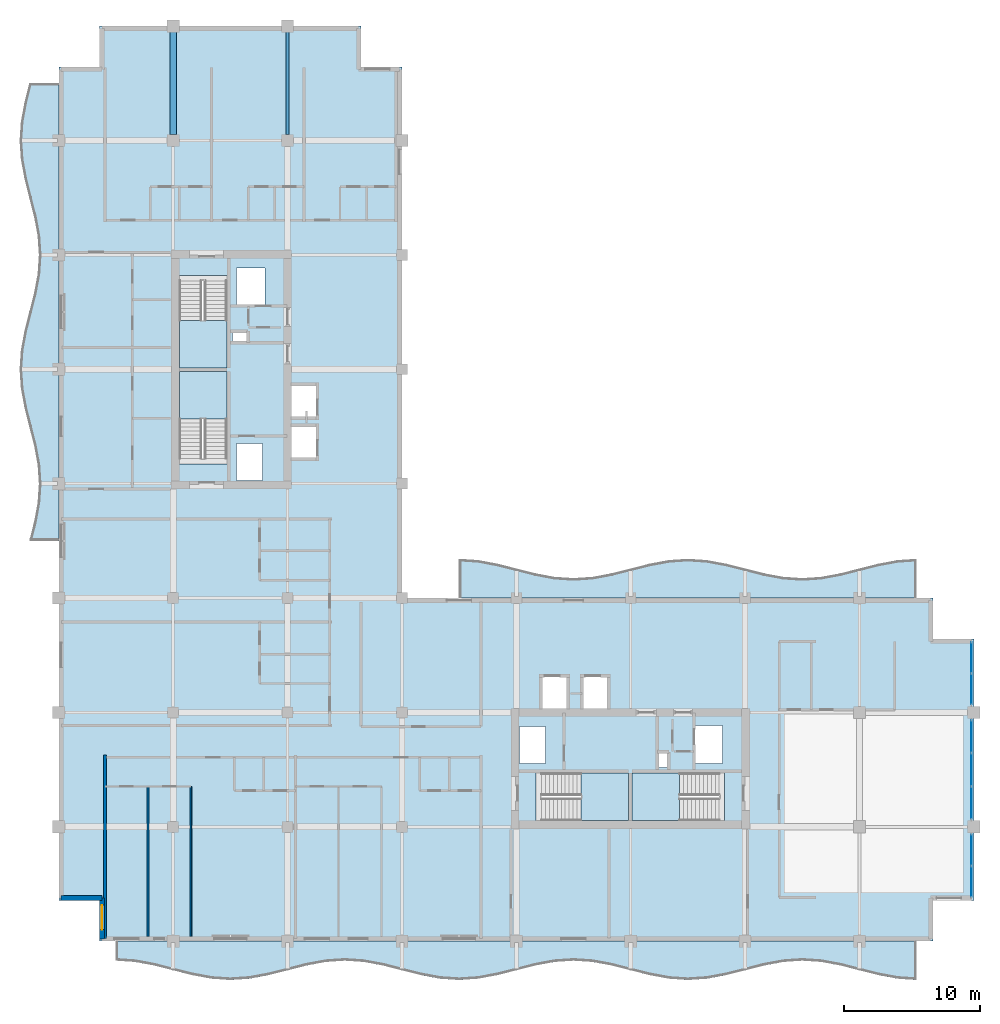
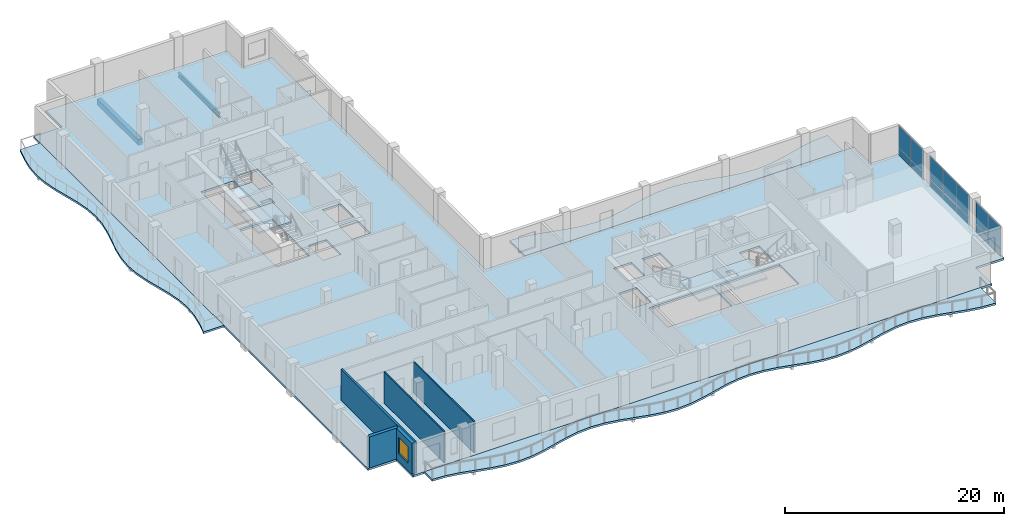
# One storey, part 5 of 16: 14 plates, 8 slabs, 5 walls, 2 beams, 1 window, 1 opening, 7 elements without a shape of their own.
"""IFC4 building model written with IfcOpenShell, lengths in metres."""

import ifcopenshell
import ifcopenshell.guid

model = None  # the IFC model being written
_history = None  # IfcOwnerHistory: only IFC2X3 demands one
_inside = {}  # id of a spatial element -> (the spatial element, [elements in it])
_under = {}  # id of a project, library or spatial element -> (it, [spatial elements below it])
_declared = {}  # id of a project -> (the project, [libraries it declares])
_typed = {}  # id of a type object -> (the type object, [elements of that type])
_made_of = {}  # id of a material, layer set ... -> (it, [elements and type objects made of it])


def new_model(schema):
    """Start an empty IFC model of exactly this schema.

    Asked for "IFC4X3", IfcOpenShell would pick the latest addendum, in which some entities
    have other attributes; the version numbers below select the first issue.
    IFC2X3 requires an IfcOwnerHistory on every rooted entity: one is made here for all.
    """
    global model, _history
    if schema == "IFC4X3":
        model = ifcopenshell.file(schema_version=(4, 3, 0, 0))
    else:
        model = ifcopenshell.file(schema=schema)
    _inside.clear()
    _under.clear()
    _declared.clear()
    _typed.clear()
    _made_of.clear()
    _history = None
    if model.schema == "IFC2X3":
        org = make("IfcOrganization", Name="unknown")
        user = make(
            "IfcPersonAndOrganization",
            ThePerson=make("IfcPerson", FamilyName="unknown"),
            TheOrganization=org,
        )
        app = make(
            "IfcApplication",
            ApplicationDeveloper=org,
            Version="unknown",
            ApplicationFullName="unknown",
            ApplicationIdentifier="unknown",
        )
        _history = make(
            "IfcOwnerHistory",
            OwningUser=user,
            OwningApplication=app,
            ChangeAction="ADDED",
            CreationDate=0,
        )
    return model


def make(cls, **values):
    """One entity of the class cls with the attributes given. An attribute that is None is left unset."""
    return model.create_entity(
        cls, **{name: value for name, value in values.items() if value is not None}
    )


def rooted(cls, **values):
    """An entity with a GlobalId (a new one), such as an element, a storey or a relation."""
    return make(cls, GlobalId=ifcopenshell.guid.new(), OwnerHistory=_history, **values)


def si_unit(unit_type, name, prefix=None):
    """IfcSIUnit, for example si_unit("LENGTHUNIT", "METRE", prefix="MILLI")."""
    return make("IfcSIUnit", UnitType=unit_type, Prefix=prefix, Name=name)


def assignment(units):
    """IfcUnitAssignment: the units of a project."""
    return None if units is None else make("IfcUnitAssignment", Units=units)


def point(xyz):
    """IfcCartesianPoint."""
    return None if xyz is None else make("IfcCartesianPoint", Coordinates=xyz)


def direction(xyz):
    """IfcDirection."""
    return None if xyz is None else make("IfcDirection", DirectionRatios=xyz)


def frame(location, z_axis=None, x_axis=None):
    """IfcAxis2Placement3D, a coordinate frame: its origin and axes. An axis left out is left unset."""
    return make(
        "IfcAxis2Placement3D",
        Location=point(location),
        Axis=direction(z_axis),
        RefDirection=direction(x_axis),
    )


def frame_2d(location, x_axis=None):
    """IfcAxis2Placement2D, a coordinate frame in the plane: its origin and x axis."""
    return make(
        "IfcAxis2Placement2D", Location=point(location), RefDirection=direction(x_axis)
    )


def origin():
    """The frame at (0, 0, 0) with its axes left unset."""
    return frame((0.0, 0.0, 0.0))


def origin_2d():
    """The frame at (0, 0) in the plane with its x axis left unset."""
    return frame_2d((0.0, 0.0))


def place(relative_to, where):
    """IfcLocalPlacement: puts the frame where relative to a parent placement (None: the world)."""
    return make(
        "IfcLocalPlacement", PlacementRelTo=relative_to, RelativePlacement=where
    )


def context(
    kind, dimensions, precision=None, world=None, true_north=None, identifier=None
):
    """IfcGeometricRepresentationContext, for example the 3D "Model" context."""
    return make(
        "IfcGeometricRepresentationContext",
        ContextIdentifier=identifier,
        ContextType=kind,
        CoordinateSpaceDimension=dimensions,
        Precision=precision,
        WorldCoordinateSystem=world,
        TrueNorth=true_north,
    )


def subcontext(parent, identifier, kind, view, scale=None):
    """IfcGeometricRepresentationSubContext, for example "Body" below "Model"."""
    return make(
        "IfcGeometricRepresentationSubContext",
        ContextIdentifier=identifier,
        ContextType=kind,
        ParentContext=parent,
        TargetScale=scale,
        TargetView=view,
    )


def project(units=None, contexts=None):
    """IfcProject with its units and contexts."""
    return rooted(
        "IfcProject",
        Name="project",
        RepresentationContexts=contexts,
        UnitsInContext=assignment(units),
    )


def spatial(cls, under=None, at=None, **own):
    """A site, building, storey or space (cls), placed at a placement, below another one or the project."""
    s = rooted(cls, ObjectPlacement=at, **own)
    if under is not None:
        _under.setdefault(under.id(), (under, []))[1].append(s)
    return s


def polyline(points):
    """IfcPolyline through the points."""
    return make("IfcPolyline", Points=[point(p) for p in points])


def profile(cls, at=None, kind="AREA", **sizes):
    """A parametric profile (cls). Its sizes go by their IFC names, for example OverallWidth=200.0."""
    return make(cls, ProfileType=kind, Position=at, **sizes)


def rectangle(**sizes):
    """IfcRectangleProfileDef."""
    return profile("IfcRectangleProfileDef", **sizes)


def i_section(**sizes):
    """IfcIShapeProfileDef."""
    return profile("IfcIShapeProfileDef", **sizes)


def outline(outer, holes=None, kind="AREA"):
    """IfcArbitraryClosedProfileDef: a profile drawn as a closed curve; with holes, ...WithVoids."""
    if holes is None:
        return make("IfcArbitraryClosedProfileDef", ProfileType=kind, OuterCurve=outer)
    return make(
        "IfcArbitraryProfileDefWithVoids",
        ProfileType=kind,
        OuterCurve=outer,
        InnerCurves=holes,
    )


def extrude(swept, where, along, depth):
    """IfcExtrudedAreaSolid: the profile swept, set in the frame where, extruded along a direction by depth."""
    return make(
        "IfcExtrudedAreaSolid",
        SweptArea=swept,
        Position=where,
        ExtrudedDirection=direction(along),
        Depth=depth,
    )


def shape(context_of_items, identifier, shape_type, items):
    """IfcShapeRepresentation: the items that make up one representation, for example the "Body"."""
    return make(
        "IfcShapeRepresentation",
        ContextOfItems=context_of_items,
        RepresentationIdentifier=identifier,
        RepresentationType=shape_type,
        Items=items,
    )


def material(Name=None, Category=None):
    """IfcMaterial."""
    return make("IfcMaterial", Name=Name, Category=Category)


def layer(
    of_material, thickness, ventilated=None, Name=None, Category=None, Priority=None
):
    """IfcMaterialLayer: one layer of a wall or slab, of a material (None: an air gap)."""
    return make(
        "IfcMaterialLayer",
        Material=of_material,
        LayerThickness=thickness,
        IsVentilated=ventilated,
        Name=Name,
        Category=Category,
        Priority=Priority,
    )


def layer_set(layers, Name=None):
    """IfcMaterialLayerSet."""
    return make("IfcMaterialLayerSet", MaterialLayers=layers, LayerSetName=Name)


def material_profile(
    of_material, cross_section, Name=None, Category=None, Priority=None
):
    """IfcMaterialProfile: a cross section and its material."""
    return make(
        "IfcMaterialProfile",
        Name=Name,
        Material=of_material,
        Profile=cross_section,
        Priority=Priority,
        Category=Category,
    )


def profile_set(profiles, Name=None, composite=None):
    """IfcMaterialProfileSet."""
    return make(
        "IfcMaterialProfileSet",
        Name=Name,
        MaterialProfiles=profiles,
        CompositeProfile=composite,
    )


def made_of(thing, what):
    """Note that an element or type object is made of a material, layer set ...; save() writes the relation."""
    if what is not None:
        _made_of.setdefault(what.id(), (what, []))[1].append(thing)
    return thing


def type_object(cls, material=None, **own):
    """A type object (cls), such as IfcWallType, which elements share."""
    return made_of(rooted(cls, **own), material)


def element(
    cls,
    number,
    at=None,
    inside=None,
    cuts=None,
    type_object=None,
    material=None,
    context=None,
    identifier="Body",
    shape_type=None,
    held_by="IfcProductDefinitionShape",
    body=None,
    shapes=None,
    **own,
):
    """One element of the class cls, such as IfcWall. Its Tag is "e" and its number.

    at: its placement. inside: the storey or other place that contains it. cuts: it is an
    opening in that element (IfcRelVoidsElement). A single representation is given by context,
    identifier, shape_type and body (its items); several are given by shapes. held_by: the class
    of the entity that holds the representations. save() writes the other relations.
    """
    e = rooted(cls, Tag="e%d" % number, ObjectPlacement=at, **own)
    if body is not None:
        shapes = [shape(context, identifier, shape_type, body)]
    if shapes is not None:
        e.Representation = make(held_by, Representations=shapes)
    if inside is not None:
        _inside.setdefault(inside.id(), (inside, []))[1].append(e)
    if cuts is not None:
        rooted(
            "IfcRelVoidsElement", RelatingBuildingElement=cuts, RelatedOpeningElement=e
        )
    if type_object is not None:
        _typed.setdefault(type_object.id(), (type_object, []))[1].append(e)
    return made_of(e, material)


def fill(opening, filler):
    """IfcRelFillsElement: the door or window that sits in an opening."""
    return rooted(
        "IfcRelFillsElement",
        RelatingOpeningElement=opening,
        RelatedBuildingElement=filler,
    )


def aggregate(whole, parts):
    """IfcRelAggregates: a whole, such as a stair, and the parts it consists of."""
    return rooted("IfcRelAggregates", RelatingObject=whole, RelatedObjects=parts)


def save(model, path):
    """Write the relations noted so far, then the file.

    IfcRelAggregates (storeys below a building ...), IfcRelContainedInSpatialStructure (elements
    in a storey), IfcRelDefinesByType, IfcRelAssociatesMaterial and IfcRelDeclares: one each for
    every whole, place, type object, material and project.
    """
    for whole, parts in _under.values():
        aggregate(whole, parts)
    for where, things in _inside.values():
        rooted(
            "IfcRelContainedInSpatialStructure",
            RelatedElements=things,
            RelatingStructure=where,
        )
    for kind, things in _typed.values():
        rooted("IfcRelDefinesByType", RelatedObjects=things, RelatingType=kind)
    for what, things in _made_of.values():
        rooted("IfcRelAssociatesMaterial", RelatedObjects=things, RelatingMaterial=what)
    for by, libraries in _declared.values():
        rooted("IfcRelDeclares", RelatingContext=by, RelatedDefinitions=libraries)
    model.write(path)


model = new_model("IFC4")

# Units and contexts
model_context = context("Model", 3, precision=1e-05, world=origin(), true_north=direction((0.0, 1.0)))
body_context = subcontext(model_context, "Body", "Model", "MODEL_VIEW")
ifc_project = project(units=[si_unit("LENGTHUNIT", "METRE"), si_unit("AREAUNIT", "SQUARE_METRE"), si_unit("VOLUMEUNIT", "CUBIC_METRE"), si_unit("PLANEANGLEUNIT", "RADIAN"), si_unit("MASSUNIT", "GRAM", prefix="KILO")], contexts=[model_context])

# Site, building, storey
site_placement = place(None, origin())
site = spatial("IfcSite", under=ifc_project, at=site_placement, CompositionType="ELEMENT")
building_placement = place(site_placement, origin())
building = spatial("IfcBuilding", under=site, at=building_placement, Name="Koriwani Terraces Tower", CompositionType="ELEMENT")
storey_placement = place(building_placement, frame((0.0, 0.0, 260.10009765625)))
storey = spatial("IfcBuildingStorey", under=building, at=storey_placement, Name="L64", CompositionType="ELEMENT", Elevation=260.10009765625)

# Beams
ifc_material_1 = material(Name="Concrete C50/60", Category="concrete")
ifc_material_profile_1 = material_profile(ifc_material_1, rectangle(XDim=0.449951171875, YDim=0.64990234375, at=origin_2d()), Name="Concrete C50/60", Category="LoadBearing")
ifc_profile_set_1 = profile_set([ifc_material_profile_1], Name="Concrete C50/60")
beam_type_1 = type_object("IfcBeamType", Name="BEAM_RC_GRID_450X650", PredefinedType="BEAM", material=ifc_profile_set_1)
beam_1_placement = place(storey_placement, frame((16.800048828125, 67.6298828125, -0.55517578125), z_axis=(0.0, 1.0, 0.0), x_axis=(-1.0, 0.0, 0.0)))
element("IfcBeam", 1, at=beam_1_placement, inside=storey, type_object=beam_type_1, Name="L64 Grid Beam 3 (67.2-75.6m)", PredefinedType="BEAM", context=body_context, shape_type="SweptSolid", body=[
    extrude(rectangle(XDim=0.449951171875, YDim=0.64990234375, at=origin_2d()), origin(), (0.0, 0.0, 1.0), 7.5400390625),
])
ifc_material_2 = material(Name="Steel ASTM A572 Grade 50", Category="steel")
ifc_material_profile_2 = material_profile(ifc_material_2, i_section(OverallWidth=0.2119140625, OverallDepth=0.54296875, WebThickness=0.0126953125, FlangeThickness=0.021240234375, at=origin_2d()), Name="Steel ASTM A572 Grade 50", Category="LoadBearing")
ifc_profile_set_2 = profile_set([ifc_material_profile_2], Name="Steel ASTM A572 Grade 50")
beam_type_2 = type_object("IfcBeamType", Name="STEEL_BEAM_W530X150", PredefinedType="BEAM", material=ifc_profile_set_2)
beam_2_placement = place(storey_placement, frame((25.199951171875, 67.6298828125, -0.501708984375), z_axis=(0.0, 1.0, 0.0), x_axis=(-1.0, 0.0, 0.0)))
element("IfcBeam", 2, at=beam_2_placement, inside=storey, type_object=beam_type_2, Name="L64 Grid Beam 4 (67.2-75.6m)", PredefinedType="BEAM", context=body_context, shape_type="SweptSolid", body=[
    extrude(i_section(OverallWidth=0.2119140625, OverallDepth=0.54296875, WebThickness=0.0126953125, FlangeThickness=0.021240234375, at=origin_2d()), origin(), (0.0, 0.0, 1.0), 7.5400390625),
])

# Curtain wall, plates
ifc_material_3 = material(Name="Anodised Bronze Aluminium", Category="aluminium")
ifc_layer_1 = layer(ifc_material_3, 0.169921875, Name="Anodised Bronze Aluminium")
ifc_layer_set_1 = layer_set([ifc_layer_1], Name="Anodised Bronze Aluminium")
curtain_wall_type = type_object("IfcCurtainWallType", Name="CW_RES_ZONE4", PredefinedType="NOTDEFINED", material=ifc_layer_set_1)
curtain_wall_1_placement = place(storey_placement, origin())
curtain_wall_1 = element("IfcCurtainWall", 3, at=curtain_wall_1_placement, inside=storey, type_object=curtain_wall_type, Name="L64 Unitised Curtain Wall (E_TIP) Bay 1", PredefinedType="NOTDEFINED")
ifc_material_4 = material(Name="Tempered Laminated Low-E Glass", Category="glass")
ifc_layer_2 = layer(ifc_material_4, 0.028076171875, Name="Tempered Laminated Low-E Glass")
ifc_layer_set_2 = layer_set([ifc_layer_2], Name="Tempered Laminated Low-E Glass")
plate_type = type_object("IfcPlateType", Name="CW_PANEL_VISION_28", PredefinedType="CURTAIN_PANEL", material=ifc_layer_set_2)
plate_1_placement = place(storey_placement, frame((75.425048828125, 29.2275390625, 0.06494140625), z_axis=(0.0, 0.0, 1.0), x_axis=(0.0, -1.0, 0.0)))
plate_1 = element("IfcPlate", 4, at=plate_1_placement, type_object=plate_type, Name="CW-Z4 panel 1.1", PredefinedType="CURTAIN_PANEL", context=body_context, shape_type="SweptSolid", body=[
    extrude(rectangle(XDim=2.2451171875, YDim=0.028076171875, at=origin_2d()), origin(), (0.0, 0.0, 1.0), 0.802490234375),
])
plate_2_placement = place(storey_placement, frame((75.425048828125, 29.2275390625, 0.9326171875), z_axis=(0.0, 0.0, 1.0), x_axis=(0.0, -1.0, 0.0)))
plate_2 = element("IfcPlate", 5, at=plate_2_placement, type_object=plate_type, Name="CW-Z4 panel 1.2", PredefinedType="CURTAIN_PANEL", context=body_context, shape_type="SweptSolid", body=[
    extrude(rectangle(XDim=2.2451171875, YDim=0.028076171875, at=origin_2d()), origin(), (0.0, 0.0, 1.0), 2.472412109375),
])
plate_3_placement = place(storey_placement, frame((75.425048828125, 26.907470703125, 0.06494140625), z_axis=(0.0, 0.0, 1.0), x_axis=(0.0, -1.0, 0.0)))
plate_3 = element("IfcPlate", 6, at=plate_3_placement, type_object=plate_type, Name="CW-Z4 panel 2.1", PredefinedType="CURTAIN_PANEL", context=body_context, shape_type="SweptSolid", body=[
    extrude(rectangle(XDim=2.2451171875, YDim=0.028076171875, at=origin_2d()), origin(), (0.0, 0.0, 1.0), 0.802490234375),
])
plate_4_placement = place(storey_placement, frame((75.425048828125, 26.907470703125, 0.9326171875), z_axis=(0.0, 0.0, 1.0), x_axis=(0.0, -1.0, 0.0)))
plate_4 = element("IfcPlate", 7, at=plate_4_placement, type_object=plate_type, Name="CW-Z4 panel 2.2", PredefinedType="CURTAIN_PANEL", context=body_context, shape_type="SweptSolid", body=[
    extrude(rectangle(XDim=2.2451171875, YDim=0.028076171875, at=origin_2d()), origin(), (0.0, 0.0, 1.0), 2.472412109375),
])
aggregate(curtain_wall_1, [plate_1, plate_2, plate_3, plate_4])

curtain_wall_2_placement = place(storey_placement, origin())
curtain_wall_2 = element("IfcCurtainWall", 8, at=curtain_wall_2_placement, inside=storey, type_object=curtain_wall_type, Name="L64 Unitised Curtain Wall (E_TIP) Bay 2", PredefinedType="NOTDEFINED")
plate_5_placement = place(storey_placement, frame((75.425048828125, 23.441162109375, 0.06494140625), z_axis=(0.0, 0.0, 1.0), x_axis=(0.0, -1.0, 0.0)))
plate_5 = element("IfcPlate", 9, at=plate_5_placement, type_object=plate_type, Name="CW-Z4 panel 1.1", PredefinedType="CURTAIN_PANEL", context=body_context, shape_type="SweptSolid", body=[
    extrude(rectangle(XDim=2.347412109375, YDim=0.028076171875, at=origin_2d()), origin(), (0.0, 0.0, 1.0), 0.802490234375),
])
plate_6_placement = place(storey_placement, frame((75.425048828125, 23.441162109375, 0.9326171875), z_axis=(0.0, 0.0, 1.0), x_axis=(0.0, -1.0, 0.0)))
plate_6 = element("IfcPlate", 10, at=plate_6_placement, type_object=plate_type, Name="CW-Z4 panel 1.2", PredefinedType="CURTAIN_PANEL", context=body_context, shape_type="SweptSolid", body=[
    extrude(rectangle(XDim=2.347412109375, YDim=0.028076171875, at=origin_2d()), origin(), (0.0, 0.0, 1.0), 2.472412109375),
])
plate_7_placement = place(storey_placement, frame((75.425048828125, 21.0, 0.06494140625), z_axis=(0.0, 0.0, 1.0), x_axis=(0.0, -1.0, 0.0)))
plate_7 = element("IfcPlate", 11, at=plate_7_placement, type_object=plate_type, Name="CW-Z4 panel 2.1", PredefinedType="CURTAIN_PANEL", context=body_context, shape_type="SweptSolid", body=[
    extrude(rectangle(XDim=2.385009765625, YDim=0.028076171875, at=origin_2d()), origin(), (0.0, 0.0, 1.0), 0.802490234375),
])
plate_8_placement = place(storey_placement, frame((75.425048828125, 21.0, 0.9326171875), z_axis=(0.0, 0.0, 1.0), x_axis=(0.0, -1.0, 0.0)))
plate_8 = element("IfcPlate", 12, at=plate_8_placement, type_object=plate_type, Name="CW-Z4 panel 2.2", PredefinedType="CURTAIN_PANEL", context=body_context, shape_type="SweptSolid", body=[
    extrude(rectangle(XDim=2.385009765625, YDim=0.028076171875, at=origin_2d()), origin(), (0.0, 0.0, 1.0), 2.472412109375),
])
plate_9_placement = place(storey_placement, frame((75.425048828125, 18.558837890625, 0.06494140625), z_axis=(0.0, 0.0, 1.0), x_axis=(0.0, -1.0, 0.0)))
plate_9 = element("IfcPlate", 13, at=plate_9_placement, type_object=plate_type, Name="CW-Z4 panel 3.1", PredefinedType="CURTAIN_PANEL", context=body_context, shape_type="SweptSolid", body=[
    extrude(rectangle(XDim=2.347412109375, YDim=0.028076171875, at=origin_2d()), origin(), (0.0, 0.0, 1.0), 0.802490234375),
])
plate_10_placement = place(storey_placement, frame((75.425048828125, 18.558837890625, 0.9326171875), z_axis=(0.0, 0.0, 1.0), x_axis=(0.0, -1.0, 0.0)))
plate_10 = element("IfcPlate", 14, at=plate_10_placement, type_object=plate_type, Name="CW-Z4 panel 3.2", PredefinedType="CURTAIN_PANEL", context=body_context, shape_type="SweptSolid", body=[
    extrude(rectangle(XDim=2.347412109375, YDim=0.028076171875, at=origin_2d()), origin(), (0.0, 0.0, 1.0), 2.472412109375),
])
aggregate(curtain_wall_2, [plate_5, plate_6, plate_7, plate_8, plate_9, plate_10])

curtain_wall_3_placement = place(storey_placement, origin())
curtain_wall_3 = element("IfcCurtainWall", 15, at=curtain_wall_3_placement, inside=storey, type_object=curtain_wall_type, Name="L64 Unitised Curtain Wall (E_TIP) Bay 3", PredefinedType="NOTDEFINED")
plate_11_placement = place(storey_placement, frame((75.425048828125, 15.092529296875, 0.06494140625), z_axis=(0.0, 0.0, 1.0), x_axis=(0.0, -1.0, 0.0)))
plate_11 = element("IfcPlate", 16, at=plate_11_placement, type_object=plate_type, Name="CW-Z4 panel 1.1", PredefinedType="CURTAIN_PANEL", context=body_context, shape_type="SweptSolid", body=[
    extrude(rectangle(XDim=2.2451171875, YDim=0.028076171875, at=origin_2d()), origin(), (0.0, 0.0, 1.0), 0.802490234375),
])
plate_12_placement = place(storey_placement, frame((75.425048828125, 15.092529296875, 0.9326171875), z_axis=(0.0, 0.0, 1.0), x_axis=(0.0, -1.0, 0.0)))
plate_12 = element("IfcPlate", 17, at=plate_12_placement, type_object=plate_type, Name="CW-Z4 panel 1.2", PredefinedType="CURTAIN_PANEL", context=body_context, shape_type="SweptSolid", body=[
    extrude(rectangle(XDim=2.2451171875, YDim=0.028076171875, at=origin_2d()), origin(), (0.0, 0.0, 1.0), 2.472412109375),
])
plate_13_placement = place(storey_placement, frame((75.425048828125, 12.7724609375, 0.06494140625), z_axis=(0.0, 0.0, 1.0), x_axis=(0.0, -1.0, 0.0)))
plate_13 = element("IfcPlate", 18, at=plate_13_placement, type_object=plate_type, Name="CW-Z4 panel 2.1", PredefinedType="CURTAIN_PANEL", context=body_context, shape_type="SweptSolid", body=[
    extrude(rectangle(XDim=2.2451171875, YDim=0.028076171875, at=origin_2d()), origin(), (0.0, 0.0, 1.0), 0.802490234375),
])
plate_14_placement = place(storey_placement, frame((75.425048828125, 12.7724609375, 0.9326171875), z_axis=(0.0, 0.0, 1.0), x_axis=(0.0, -1.0, 0.0)))
plate_14 = element("IfcPlate", 19, at=plate_14_placement, type_object=plate_type, Name="CW-Z4 panel 2.2", PredefinedType="CURTAIN_PANEL", context=body_context, shape_type="SweptSolid", body=[
    extrude(rectangle(XDim=2.2451171875, YDim=0.028076171875, at=origin_2d()), origin(), (0.0, 0.0, 1.0), 2.472412109375),
])
aggregate(curtain_wall_3, [plate_11, plate_12, plate_13, plate_14])

# Slabs
ifc_material_5 = material(Name="Concrete C40/50", Category="concrete")
ifc_layer_3 = layer(ifc_material_5, 0.219970703125, Name="Concrete C40/50")
ifc_layer_set_3 = layer_set([ifc_layer_3], Name="Concrete C40/50")
slab_type_1 = type_object("IfcSlabType", Name="SLAB_BALCONY_220", PredefinedType="FLOOR", material=ifc_layer_set_3)
slab_1_placement = place(storey_placement, frame((0.0, 0.0, -0.22021484375)))
element("IfcSlab", 20, at=slab_1_placement, inside=storey, type_object=slab_type_1, Name="L64 Quilted Circular-Arc Balcony (S)", PredefinedType="FLOOR", context=body_context, shape_type="SweptSolid", body=[
    extrude(outline(polyline([(12.60009765625, 8.39990234375), (14.0, 8.39990234375), (15.39990234375, 8.39990234375), (16.800048828125, 8.39990234375), (18.199951171875, 8.39990234375), (19.60009765625, 8.39990234375), (21.0, 8.39990234375), (22.39990234375, 8.39990234375), (23.800048828125, 8.39990234375), (25.199951171875, 8.39990234375), (26.60009765625, 8.39990234375), (28.0, 8.39990234375), (29.39990234375, 8.39990234375), (30.800048828125, 8.39990234375), (32.199951171875, 8.39990234375), (33.60009765625, 8.39990234375), (35.0, 8.39990234375), (36.39990234375, 8.39990234375), (37.800048828125, 8.39990234375), (39.199951171875, 8.39990234375), (40.60009765625, 8.39990234375), (42.0, 8.39990234375), (43.39990234375, 8.39990234375), (44.800048828125, 8.39990234375), (46.199951171875, 8.39990234375), (47.60009765625, 8.39990234375), (49.0, 8.39990234375), (50.39990234375, 8.39990234375), (51.800048828125, 8.39990234375), (53.199951171875, 8.39990234375), (54.60009765625, 8.39990234375), (56.0, 8.39990234375), (57.39990234375, 8.39990234375), (58.800048828125, 8.39990234375), (60.199951171875, 8.39990234375), (61.60009765625, 8.39990234375), (63.0, 8.39990234375), (64.39990234375, 8.39990234375), (65.800048828125, 8.39990234375), (67.199951171875, 8.39990234375), (68.60009765625, 8.39990234375), (70.0, 8.39990234375), (71.39990234375, 8.39990234375), (71.39990234375, 5.550048828125), (70.0, 5.64501953125), (68.60009765625, 5.905029296875), (67.199951171875, 6.260009765625), (65.800048828125, 6.614990234375), (64.39990234375, 6.875), (63.0, 6.969970703125), (61.60009765625, 6.875), (60.199951171875, 6.614990234375), (58.800048828125, 6.260009765625), (57.39990234375, 5.905029296875), (56.0, 5.64501953125), (54.60009765625, 5.550048828125), (53.199951171875, 5.64501953125), (51.800048828125, 5.905029296875), (50.39990234375, 6.260009765625), (49.0, 6.614990234375), (47.60009765625, 6.875), (46.199951171875, 6.969970703125), (44.800048828125, 6.875), (43.39990234375, 6.614990234375), (42.0, 6.260009765625), (40.60009765625, 5.905029296875), (39.199951171875, 5.64501953125), (37.800048828125, 5.550048828125), (36.39990234375, 5.64501953125), (35.0, 5.905029296875), (33.60009765625, 6.260009765625), (32.199951171875, 6.614990234375), (30.800048828125, 6.875), (29.39990234375, 6.969970703125), (28.0, 6.875), (26.60009765625, 6.614990234375), (25.199951171875, 6.260009765625), (23.800048828125, 5.905029296875), (22.39990234375, 5.64501953125), (21.0, 5.550048828125), (19.60009765625, 5.64501953125), (18.199951171875, 5.905029296875), (16.800048828125, 6.260009765625), (15.39990234375, 6.614990234375), (14.0, 6.875), (12.60009765625, 6.969970703125), (12.60009765625, 8.39990234375)])), origin(), (0.0, 0.0, 1.0), 0.22021484375),
])
slab_2_placement = place(storey_placement, frame((0.0, 0.0, -0.22021484375)))
element("IfcSlab", 21, at=slab_2_placement, inside=storey, type_object=slab_type_1, Name="L64 Quilted Circular-Arc Balcony (W)", PredefinedType="FLOOR", context=body_context, shape_type="SweptSolid", body=[
    extrude(outline(polyline([(8.39990234375, 37.800048828125), (8.39990234375, 39.199951171875), (8.39990234375, 40.60009765625), (8.39990234375, 42.0), (8.39990234375, 43.39990234375), (8.39990234375, 44.800048828125), (8.39990234375, 46.199951171875), (8.39990234375, 47.60009765625), (8.39990234375, 49.0), (8.39990234375, 50.39990234375), (8.39990234375, 51.800048828125), (8.39990234375, 53.199951171875), (8.39990234375, 54.60009765625), (8.39990234375, 56.0), (8.39990234375, 57.39990234375), (8.39990234375, 58.800048828125), (8.39990234375, 60.199951171875), (8.39990234375, 61.60009765625), (8.39990234375, 63.0), (8.39990234375, 64.39990234375), (8.39990234375, 65.800048828125), (8.39990234375, 67.199951171875), (8.39990234375, 68.60009765625), (8.39990234375, 70.0), (8.39990234375, 71.39990234375), (6.260009765625, 71.39990234375), (5.905029296875, 70.0), (5.64501953125, 68.60009765625), (5.550048828125, 67.199951171875), (5.64501953125, 65.800048828125), (5.905029296875, 64.39990234375), (6.260009765625, 63.0), (6.614990234375, 61.60009765625), (6.875, 60.199951171875), (6.969970703125, 58.800048828125), (6.875, 57.39990234375), (6.614990234375, 56.0), (6.260009765625, 54.60009765625), (5.905029296875, 53.199951171875), (5.64501953125, 51.800048828125), (5.550048828125, 50.39990234375), (5.64501953125, 49.0), (5.905029296875, 47.60009765625), (6.260009765625, 46.199951171875), (6.614990234375, 44.800048828125), (6.875, 43.39990234375), (6.969970703125, 42.0), (6.875, 40.60009765625), (6.614990234375, 39.199951171875), (6.260009765625, 37.800048828125), (8.39990234375, 37.800048828125)])), origin(), (0.0, 0.0, 1.0), 0.22021484375),
])
slab_3_placement = place(storey_placement, frame((0.0, 0.0, -0.22021484375)))
element("IfcSlab", 22, at=slab_3_placement, inside=storey, type_object=slab_type_1, Name="L64 Quilted Circular-Arc Balcony (NE)", PredefinedType="FLOOR", context=body_context, shape_type="SweptSolid", body=[
    extrude(outline(polyline([(71.39990234375, 33.60009765625), (70.0, 33.60009765625), (68.60009765625, 33.60009765625), (67.199951171875, 33.60009765625), (65.800048828125, 33.60009765625), (64.39990234375, 33.60009765625), (63.0, 33.60009765625), (61.60009765625, 33.60009765625), (60.199951171875, 33.60009765625), (58.800048828125, 33.60009765625), (57.39990234375, 33.60009765625), (56.0, 33.60009765625), (54.60009765625, 33.60009765625), (53.199951171875, 33.60009765625), (51.800048828125, 33.60009765625), (50.39990234375, 33.60009765625), (49.0, 33.60009765625), (47.60009765625, 33.60009765625), (46.199951171875, 33.60009765625), (44.800048828125, 33.60009765625), (43.39990234375, 33.60009765625), (42.0, 33.60009765625), (40.60009765625, 33.60009765625), (39.199951171875, 33.60009765625), (37.800048828125, 33.60009765625), (37.800048828125, 36.449951171875), (39.199951171875, 36.35498046875), (40.60009765625, 36.094970703125), (42.0, 35.739990234375), (43.39990234375, 35.385009765625), (44.800048828125, 35.125), (46.199951171875, 35.030029296875), (47.60009765625, 35.125), (49.0, 35.385009765625), (50.39990234375, 35.739990234375), (51.800048828125, 36.094970703125), (53.199951171875, 36.35498046875), (54.60009765625, 36.449951171875), (56.0, 36.35498046875), (57.39990234375, 36.094970703125), (58.800048828125, 35.739990234375), (60.199951171875, 35.385009765625), (61.60009765625, 35.125), (63.0, 35.030029296875), (64.39990234375, 35.125), (65.800048828125, 35.385009765625), (67.199951171875, 35.739990234375), (68.60009765625, 36.094970703125), (70.0, 36.35498046875), (71.39990234375, 36.449951171875), (71.39990234375, 33.60009765625)])), origin(), (0.0, 0.0, 1.0), 0.22021484375),
])
ifc_layer_4 = layer(ifc_material_5, 0.22998046875, Name="Concrete C40/50")
ifc_layer_set_4 = layer_set([ifc_layer_4], Name="Concrete C40/50")
slab_type_2 = type_object("IfcSlabType", Name="SLAB_RES_TYP_230", PredefinedType="FLOOR", material=ifc_layer_set_4)
slab_4_placement = place(storey_placement, frame((0.0, 0.0, -0.22998046875)))
element("IfcSlab", 23, at=slab_4_placement, inside=storey, type_object=slab_type_2, Name="L64 Structural Floor Slab", PredefinedType="FLOOR", context=body_context, shape_type="SweptSolid", body=[
    extrude(outline(polyline([(11.39990234375, 8.39990234375), (72.60009765625, 8.39990234375), (72.60009765625, 11.39990234375), (75.60009765625, 11.39990234375), (75.60009765625, 30.60009765625), (72.60009765625, 30.60009765625), (72.60009765625, 33.60009765625), (33.60009765625, 33.60009765625), (33.60009765625, 72.60009765625), (30.60009765625, 72.60009765625), (30.60009765625, 75.60009765625), (11.39990234375, 75.60009765625), (11.39990234375, 72.60009765625), (8.39990234375, 72.60009765625), (8.39990234375, 11.39990234375), (11.39990234375, 11.39990234375), (11.39990234375, 8.39990234375)]), holes=[polyline([(17.25, 43.4599609375), (20.75, 43.4599609375), (20.75, 50.25), (17.25, 50.25), (17.25, 43.4599609375)]), polyline([(17.25, 50.5), (20.75, 50.5), (20.75, 57.2900390625), (17.25, 57.2900390625), (17.25, 50.5)]), polyline([(43.4599609375, 17.25), (50.25, 17.25), (50.25, 20.75), (43.4599609375, 20.75), (43.4599609375, 17.25)]), polyline([(50.5, 17.25), (57.2900390625, 17.25), (57.2900390625, 20.75), (50.5, 20.75), (50.5, 17.25)]), polyline([(25.449951171875, 43.85009765625), (27.35009765625, 43.85009765625), (27.35009765625, 46.25), (25.449951171875, 46.25), (25.449951171875, 43.85009765625)]), polyline([(25.449951171875, 46.85009765625), (27.35009765625, 46.85009765625), (27.35009765625, 49.25), (25.449951171875, 49.25), (25.449951171875, 46.85009765625)]), polyline([(43.85009765625, 25.449951171875), (45.75, 25.449951171875), (45.75, 27.85009765625), (43.85009765625, 27.85009765625), (43.85009765625, 25.449951171875)]), polyline([(46.85009765625, 25.449951171875), (48.75, 25.449951171875), (48.75, 27.85009765625), (46.85009765625, 27.85009765625), (46.85009765625, 25.449951171875)]), polyline([(21.449951171875, 55.050048828125), (23.550048828125, 55.050048828125), (23.550048828125, 57.85009765625), (21.449951171875, 57.85009765625), (21.449951171875, 55.050048828125)]), polyline([(55.050048828125, 21.449951171875), (57.14990234375, 21.449951171875), (57.14990234375, 24.25), (55.050048828125, 24.25), (55.050048828125, 21.449951171875)]), polyline([(21.449951171875, 42.25), (23.35009765625, 42.25), (23.35009765625, 44.949951171875), (21.449951171875, 44.949951171875), (21.449951171875, 42.25)]), polyline([(42.25, 21.449951171875), (44.14990234375, 21.449951171875), (44.14990234375, 24.14990234375), (42.25, 24.14990234375), (42.25, 21.449951171875)]), polyline([(21.14990234375, 52.419921875), (22.219970703125, 52.419921875), (22.219970703125, 53.179931640625), (21.14990234375, 53.179931640625), (21.14990234375, 52.419921875)]), polyline([(52.419921875, 21.14990234375), (53.179931640625, 21.14990234375), (53.179931640625, 22.219970703125), (52.419921875, 22.219970703125), (52.419921875, 21.14990234375)])]), origin(), (0.0, 0.0, 1.0), 0.22998046875),
])

# Stair, slab
stair_type = type_object("IfcStairType", Name="STAIR_CORE_DOGLEG_1650", PredefinedType="TWO_STRAIGHT_RUN_STAIR", material=ifc_material_5)
stair_1_placement = place(storey_placement, origin())
stair_1 = element("IfcStair", 24, at=stair_1_placement, inside=storey, type_object=stair_type, Name="L64 West Core Exit Stair 1", PredefinedType="HALF_TURN_STAIR")
ifc_layer_5 = layer(ifc_material_5, 0.199951171875, Name="Concrete C40/50")
ifc_layer_set_5 = layer_set([ifc_layer_5], Name="Concrete C40/50")
slab_type_3 = type_object("IfcSlabType", Name="SLAB_STAIR_LANDING_200", PredefinedType="LANDING", material=ifc_layer_set_5)
slab_5_placement = place(storey_placement, frame((0.0, 0.0, 1.64990234375)))
slab_5 = element("IfcSlab", 25, at=slab_5_placement, type_object=slab_type_3, Name="ST-W1 landing 1", PredefinedType="LANDING", context=body_context, shape_type="SweptSolid", body=[
    extrude(outline(polyline([(20.75, 46.75), (20.75, 50.25), (17.25, 50.25), (17.25, 46.75), (20.75, 46.75)])), origin(), (0.0, 0.0, 1.0), 0.199951171875),
])
aggregate(stair_1, [slab_5])

stair_2_placement = place(storey_placement, origin())
stair_2 = element("IfcStair", 26, at=stair_2_placement, inside=storey, type_object=stair_type, Name="L64 West Core Exit Stair 2", PredefinedType="HALF_TURN_STAIR")
slab_6_placement = place(storey_placement, frame((0.0, 0.0, 1.64990234375)))
slab_6 = element("IfcSlab", 27, at=slab_6_placement, type_object=slab_type_3, Name="ST-W2 landing 1", PredefinedType="LANDING", context=body_context, shape_type="SweptSolid", body=[
    extrude(outline(polyline([(17.25, 54.0), (17.25, 50.5), (20.75, 50.5), (20.75, 54.0), (17.25, 54.0)])), origin(), (0.0, 0.0, 1.0), 0.199951171875),
])
aggregate(stair_2, [slab_6])

stair_3_placement = place(storey_placement, origin())
stair_3 = element("IfcStair", 28, at=stair_3_placement, inside=storey, type_object=stair_type, Name="L64 East Core Exit Stair 1", PredefinedType="HALF_TURN_STAIR")
slab_7_placement = place(storey_placement, frame((0.0, 0.0, 1.64990234375)))
slab_7 = element("IfcSlab", 29, at=slab_7_placement, type_object=slab_type_3, Name="ST-E1 landing 1", PredefinedType="LANDING", context=body_context, shape_type="SweptSolid", body=[
    extrude(outline(polyline([(46.75, 17.25), (50.25, 17.25), (50.25, 20.75), (46.75, 20.75), (46.75, 17.25)])), origin(), (0.0, 0.0, 1.0), 0.199951171875),
])
aggregate(stair_3, [slab_7])

stair_4_placement = place(storey_placement, origin())
stair_4 = element("IfcStair", 30, at=stair_4_placement, inside=storey, type_object=stair_type, Name="L64 East Core Exit Stair 2", PredefinedType="HALF_TURN_STAIR")
slab_8_placement = place(storey_placement, frame((0.0, 0.0, 1.64990234375)))
slab_8 = element("IfcSlab", 31, at=slab_8_placement, type_object=slab_type_3, Name="ST-E2 landing 1", PredefinedType="LANDING", context=body_context, shape_type="SweptSolid", body=[
    extrude(outline(polyline([(54.0, 20.75), (50.5, 20.75), (50.5, 17.25), (54.0, 17.25), (54.0, 20.75)])), origin(), (0.0, 0.0, 1.0), 0.199951171875),
])
aggregate(stair_4, [slab_8])

# Wall
ifc_material_6 = material(Name="Autoclaved Cellular Concrete Blockwork", Category="masonry")
ifc_layer_6 = layer(ifc_material_6, 0.219970703125, Name="Autoclaved Cellular Concrete Blockwork")
ifc_layer_set_6 = layer_set([ifc_layer_6], Name="Autoclaved Cellular Concrete Blockwork")
wall_type_1 = type_object("IfcWallType", Name="WALL_DEMISING_220", PredefinedType="PARTITIONING", material=ifc_layer_set_6)
wall_1_placement = place(storey_placement, frame((11.800048828125, 8.60009765625, 0.0), z_axis=(0.0, 0.0, 1.0), x_axis=(0.0, 1.0, 0.0)))
element("IfcWall", 32, at=wall_1_placement, inside=storey, type_object=wall_type_1, Name="L64 Interior Wall WRDEM-L64-SW-0", PredefinedType="PARTITIONING", context=body_context, shape_type="SweptSolid", body=[
    extrude(rectangle(XDim=13.47998046875, YDim=0.219970703125, at=frame_2d((6.739990234375, 0.0))), origin(), (0.0, 0.0, 1.0), 3.469970703125),
])

# Wall, opening, window
ifc_layer_7 = layer(ifc_material_1, 0.35009765625, Name="Concrete C50/60")
ifc_layer_set_7 = layer_set([ifc_layer_7], Name="Concrete C50/60")
wall_type_2 = type_object("IfcWallType", Name="WALL_EXT_BRUTALIST_350", PredefinedType="STANDARD", material=ifc_layer_set_7)
wall_2_placement = place(storey_placement, frame((11.574951171875, 8.574951171875, 0.0), z_axis=(0.0, 0.0, 1.0), x_axis=(0.0, 1.0, 0.0)))
wall_2 = element("IfcWall", 33, at=wall_2_placement, inside=storey, type_object=wall_type_2, Name="L64 Fair-Faced Brutalist Exterior Wall (N0)", PredefinedType="STANDARD", context=body_context, shape_type="SweptSolid", body=[
    extrude(rectangle(XDim=3.0, YDim=0.35009765625, at=frame_2d((1.5, 0.0))), origin(), (0.0, 0.0, 1.0), 3.469970703125),
])
opening_placement = place(wall_2_placement, frame((0.677490234375, 0.0, 0.85009765625)))
opening = element("IfcOpeningElement", 34, at=opening_placement, cuts=wall_2, Name="Opening W-04", PredefinedType="OPENING", context=body_context, shape_type="SweptSolid", body=[
    extrude(rectangle(XDim=1.800048828125, YDim=1.800048828125, at=frame_2d((0.89990234375, 0.89990234375))), frame((0.0, 0.18505859375, 0.0), z_axis=(0.0, -1.0, 0.0), x_axis=(1.0, 0.0, 0.0)), (0.0, 0.0, 1.0), 0.3701171875),
])
window_type = type_object("IfcWindowType", Name="WIN_RES_BED_1800X1800", PartitioningType="DOUBLE_PANEL_VERTICAL", PredefinedType="WINDOW", material=ifc_material_4)
window_placement = place(opening_placement, origin())
window = element("IfcWindow", 35, at=window_placement, inside=storey, type_object=window_type, Name="L64 Exterior Window (N0-R34)", OverallHeight=1.800048828125, OverallWidth=1.800048828125, PartitioningType="SINGLE_PANEL", PredefinedType="WINDOW", context=body_context, shape_type="SweptSolid", body=[
    extrude(rectangle(XDim=1.800048828125, YDim=1.800048828125, at=frame_2d((0.89990234375, 0.89990234375))), frame((0.0, 0.030029296875, 0.0), z_axis=(0.0, -1.0, 0.0), x_axis=(1.0, 0.0, 0.0)), (0.0, 0.0, 1.0), 0.06005859375),
])
fill(opening, window)

# Walls
wall_3_placement = place(storey_placement, frame((11.574951171875, 11.574951171875, 0.0), z_axis=(0.0, 0.0, 1.0), x_axis=(-1.0, 0.0, 0.0)))
element("IfcWall", 36, at=wall_3_placement, inside=storey, type_object=wall_type_2, Name="L64 Fair-Faced Brutalist Exterior Wall (N1)", PredefinedType="STANDARD", context=body_context, shape_type="SweptSolid", body=[
    extrude(rectangle(XDim=3.0, YDim=0.35009765625, at=frame_2d((1.5, 0.0))), origin(), (0.0, 0.0, 1.0), 3.469970703125),
])
ifc_material_7 = material(Name="Fire-Rated Acoustic Gypsum Partition", Category="masonry")
ifc_layer_8 = layer(ifc_material_7, 0.125, Name="Fire-Rated Acoustic Gypsum Partition")
ifc_layer_set_8 = layer_set([ifc_layer_8], Name="Fire-Rated Acoustic Gypsum Partition")
wall_type_3 = type_object("IfcWallType", Name="WALL_INT_125", PredefinedType="PARTITIONING", material=ifc_layer_set_8)
for number, where, z_axis, x_axis, name in (
    (37, (14.949951171875, 8.75, 0.0), (0.0, 0.0, 1.0), (0.0, 1.0, 0.0), "L64 Interior Wall WRB12-L64-SW-0"),
    (38, (18.10009765625, 8.75, 0.0), (0.0, 0.0, 1.0), (0.0, 1.0, 0.0), "L64 Interior Wall WRB2L-L64-SW-0"),
):
    element("IfcWall", number, at=place(storey_placement, frame(where, z_axis=z_axis, x_axis=x_axis)), inside=storey, type_object=wall_type_3, Name=name, PredefinedType="PARTITIONING", context=body_context, shape_type="SweptSolid", body=[
        extrude(rectangle(XDim=11.0, YDim=0.125, at=frame_2d((5.5, 0.0))), origin(), (0.0, 0.0, 1.0), 3.469970703125),
    ])

save(model, "model.ifc")
